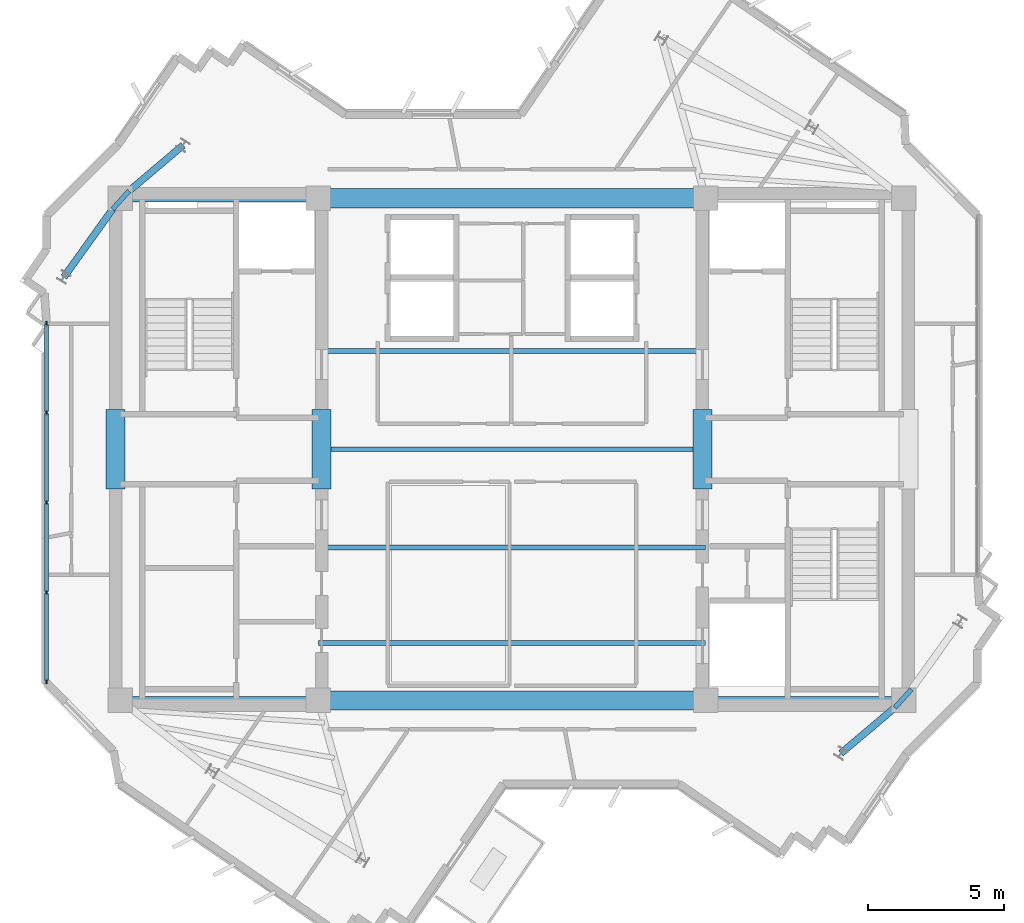
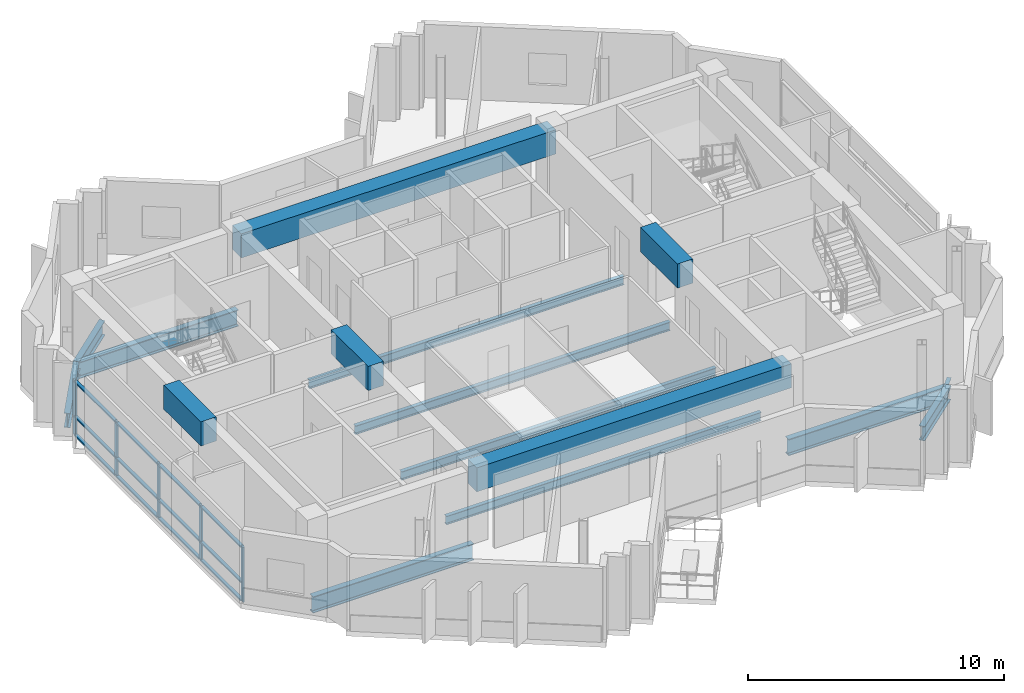
# One storey, part 2 of 11: 17 beams, 17 members, 1 element without a shape of its own.
"""IFC4 building model written with IfcOpenShell, lengths in metres."""

from ifc_helpers import new_model, si_unit, direction, frame, origin, origin_2d, place, context, subcontext, project, spatial, rectangle, i_section, extrude, source, transform, mapped, material, layer, layer_set, material_profile, profile_set, type_object, element, aggregate, save


model = new_model("IFC4")

# Units and contexts
model_context = context("Model", 3, precision=1e-05, world=origin(), true_north=direction((0.0, 1.0)))
body_context = subcontext(model_context, "Body", "Model", "MODEL_VIEW")
ifc_project = project(units=[si_unit("LENGTHUNIT", "METRE"), si_unit("AREAUNIT", "SQUARE_METRE"), si_unit("VOLUMEUNIT", "CUBIC_METRE"), si_unit("PLANEANGLEUNIT", "RADIAN"), si_unit("MASSUNIT", "GRAM", prefix="KILO")], contexts=[model_context])

# Site, building, storey
site_placement = place(None, origin())
site = spatial("IfcSite", under=ifc_project, at=site_placement, CompositionType="ELEMENT")
building_placement = place(site_placement, origin())
building = spatial("IfcBuilding", under=site, at=building_placement, Name="Zahravan Cultural Tower", CompositionType="ELEMENT")
storey_placement = place(building_placement, frame((0.0, 0.0, 338.550048828125)))
storey = spatial("IfcBuildingStorey", under=building, at=storey_placement, Name="L82", CompositionType="ELEMENT", Elevation=338.550048828125)

# Beams
ifc_material_1 = material(Name="Concrete C50/60", Category="concrete")
ifc_material_profile_1 = material_profile(ifc_material_1, rectangle(XDim=0.699951171875, YDim=1.14990234375, at=origin_2d()), Name="RC700X1150")
ifc_profile_set_1 = profile_set([ifc_material_profile_1], Name="Concrete C50/60")
beam_type_1 = type_object("IfcBeamType", Name="BM-LN-RC700X1150", PredefinedType="LINTEL", material=ifc_profile_set_1)
shared_shape_1 = source(origin(), body_context, "Body", "SweptSolid", [
    extrude(rectangle(XDim=0.699951171875, YDim=1.14990234375, at=origin_2d()), origin(), (0.0, 0.0, 1.0), 14.2001953125),
])
for number, where, z_axis, x_axis, name in (
    (1, (28.89990234375, 17.800048828125, 2.925048828125), (1.0, 0.0, 0.0), (0.0, 1.0, 0.0), "L82 Beam LN-L82-S"),
    (2, (28.89990234375, 36.199951171875, 2.925048828125), (1.0, 0.0, 0.0), (0.0, 1.0, 0.0), "L82 Beam LN-L82-N"),
):
    element("IfcBeam", number, at=place(storey_placement, frame(where, z_axis=z_axis, x_axis=x_axis)), inside=storey, type_object=beam_type_1, Name=name, PredefinedType="LINTEL", context=body_context, shape_type="MappedRepresentation", body=[
        mapped(shared_shape_1, transform((0.0, 0.0, 0.0), x_axis=(1.0, 0.0, 0.0), y_axis=(0.0, 1.0, 0.0), z_axis=(0.0, 0.0, 1.0), scale=1.0)),
    ])
shared_shape_2 = source(origin(), body_context, "Body", "SweptSolid", [
    extrude(rectangle(XDim=0.699951171875, YDim=1.14990234375, at=origin_2d()), origin(), (0.0, 0.0, 1.0), 2.89990234375),
])
for number, where, z_axis, x_axis, name in (
    (3, (21.47509765625, 25.550048828125, 2.925048828125), (0.0, 1.0, 0.0), (-1.0, 0.0, 0.0), "L82 Beam LN-L82-PWW"),
    (4, (29.02490234375, 25.550048828125, 2.925048828125), (0.0, 1.0, 0.0), (-1.0, 0.0, 0.0), "L82 Beam LN-L82-PWE"),
    (5, (42.97509765625, 25.550048828125, 2.925048828125), (0.0, 1.0, 0.0), (-1.0, 0.0, 0.0), "L82 Beam LN-L82-PEW"),
):
    element("IfcBeam", number, at=place(storey_placement, frame(where, z_axis=z_axis, x_axis=x_axis)), inside=storey, type_object=beam_type_1, Name=name, PredefinedType="LINTEL", context=body_context, shape_type="MappedRepresentation", body=[
        mapped(shared_shape_2, transform((0.0, 0.0, 0.0), x_axis=(1.0, 0.0, 0.0), y_axis=(0.0, 1.0, 0.0), z_axis=(0.0, 0.0, 1.0), scale=1.0)),
    ])
ifc_material_2 = material(Name="Steel ASTM A992 Grade 50", Category="steel")
ifc_material_profile_2 = material_profile(ifc_material_2, i_section(OverallWidth=0.26611328125, OverallDepth=0.780029296875, WebThickness=0.0166015625, FlangeThickness=0.030029296875, FilletRadius=0.01904296875, at=origin_2d()), Name="W30X148")
ifc_profile_set_2 = profile_set([ifc_material_profile_2], Name="Steel ASTM A992 Grade 50")
beam_type_2 = type_object("IfcBeamType", Name="BM-G-W30X148", PredefinedType="BEAM", material=ifc_profile_set_2)
shared_shape_3 = source(origin(), body_context, "Body", "SweptSolid", [
    extrude(i_section(OverallWidth=0.26611328125, OverallDepth=0.780029296875, WebThickness=0.0166015625, FlangeThickness=0.030029296875, FilletRadius=0.01904296875, at=origin_2d()), origin(), (0.0, 0.0, 1.0), 7.25),
])
for number, where, z_axis, x_axis, name in (
    (6, (21.64990234375, 17.800048828125, -0.64013671875), (1.0, 0.0, 0.0), (0.0, 1.0, 0.0), "L82 Beam BG-L82-01"),
    (7, (21.64990234375, 36.199951171875, -0.64013671875), (1.0, 0.0, 0.0), (0.0, 1.0, 0.0), "L82 Beam BG-L82-02"),
    (8, (43.10009765625, 17.800048828125, -0.64013671875), (1.0, 0.0, 0.0), (0.0, 1.0, 0.0), "L82 Beam BG-L82-04"),
):
    element("IfcBeam", number, at=place(storey_placement, frame(where, z_axis=z_axis, x_axis=x_axis)), inside=storey, type_object=beam_type_2, Name=name, PredefinedType="BEAM", context=body_context, shape_type="MappedRepresentation", body=[
        mapped(shared_shape_3, transform((0.0, 0.0, 0.0), x_axis=(1.0, 0.0, 0.0), y_axis=(0.0, 1.0, 0.0), z_axis=(0.0, 0.0, 1.0), scale=1.0)),
    ])
ifc_material_profile_3 = material_profile(ifc_material_2, i_section(OverallWidth=0.177978515625, OverallDepth=0.406005859375, WebThickness=0.0078125, FlangeThickness=0.0126953125, FilletRadius=0.011962890625, at=origin_2d()), Name="W16X40")
ifc_profile_set_3 = profile_set([ifc_material_profile_3], Name="Steel ASTM A992 Grade 50")
beam_type_3 = type_object("IfcBeamType", Name="BM-J-W16X40", PredefinedType="JOIST", material=ifc_profile_set_3)
shared_shape_4 = source(origin(), body_context, "Body", "SweptSolid", [
    extrude(i_section(OverallWidth=0.177978515625, OverallDepth=0.406005859375, WebThickness=0.0078125, FlangeThickness=0.0126953125, FilletRadius=0.011962890625, at=origin_2d()), origin(), (0.0, 0.0, 1.0), 14.2001953125),
])
for number, where, z_axis, x_axis, name in (
    (9, (28.89990234375, 19.89990234375, -0.453125), (1.0, 0.0, 0.0), (0.0, 1.0, 0.0), "L82 Beam BJ-L82-20"),
    (10, (28.89990234375, 23.39990234375, -0.453125), (1.0, 0.0, 0.0), (0.0, 1.0, 0.0), "L82 Beam BJ-L82-21"),
    (11, (28.89990234375, 27.0, -0.453125), (1.0, 0.0, 0.0), (0.0, 1.0, 0.0), "L82 Beam BJ-L82-22"),
    (12, (28.89990234375, 30.60009765625, -0.453125), (1.0, 0.0, 0.0), (0.0, 1.0, 0.0), "L82 Beam BJ-L82-23"),
):
    element("IfcBeam", number, at=place(storey_placement, frame(where, z_axis=z_axis, x_axis=x_axis)), inside=storey, type_object=beam_type_3, Name=name, PredefinedType="JOIST", context=body_context, shape_type="MappedRepresentation", body=[
        mapped(shared_shape_4, transform((0.0, 0.0, 0.0), x_axis=(1.0, 0.0, 0.0), y_axis=(0.0, 1.0, 0.0), z_axis=(0.0, 0.0, 1.0), scale=1.0)),
    ])
shared_shape_5 = source(origin(), body_context, "Body", "SweptSolid", [
    extrude(i_section(OverallWidth=0.177978515625, OverallDepth=0.406005859375, WebThickness=0.0078125, FlangeThickness=0.0126953125, FilletRadius=0.011962890625, at=origin_2d()), origin(), (0.0, 0.0, 1.0), 0.91162109375),
])
for number, where, z_axis, x_axis, name in (
    (13, (50.02880859375, 17.5283203125, -0.453125), (0.670590689022, 0.741827559341, 0.0), (-0.741827559341, 0.670590689022, 0.0), "L82 Beam BJ-L82-32"),
    (14, (21.97119140625, 36.4716796875, -0.453125), (-0.670590689022, -0.741827559341, 0.0), (0.741827559341, -0.670590689022, 0.0), "L82 Beam BJ-L82-48"),
):
    element("IfcBeam", number, at=place(storey_placement, frame(where, z_axis=z_axis, x_axis=x_axis)), inside=storey, type_object=beam_type_3, Name=name, PredefinedType="JOIST", context=body_context, shape_type="MappedRepresentation", body=[
        mapped(shared_shape_5, transform((0.0, 0.0, 0.0), x_axis=(1.0, 0.0, 0.0), y_axis=(0.0, 1.0, 0.0), z_axis=(0.0, 0.0, 1.0), scale=1.0)),
    ])
ifc_material_profile_4 = material_profile(ifc_material_2, i_section(OverallWidth=0.25390625, OverallDepth=0.68798828125, WebThickness=0.01318359375, FlangeThickness=0.02099609375, FilletRadius=0.01806640625, at=origin_2d()), Name="W27X102")
ifc_profile_set_4 = profile_set([ifc_material_profile_4], Name="Steel ASTM A992 Grade 50")
beam_type_4 = type_object("IfcBeamType", Name="BM-G-W27X102", PredefinedType="BEAM", material=ifc_profile_set_4)
shared_shape_6 = source(origin(), body_context, "Body", "SweptSolid", [
    extrude(i_section(OverallWidth=0.25390625, OverallDepth=0.68798828125, WebThickness=0.01318359375, FlangeThickness=0.02099609375, FilletRadius=0.01806640625, at=origin_2d()), origin(), (0.0, 0.0, 1.0), 3.00537109375),
])
for number, where, z_axis, x_axis, name in (
    (15, (50.35009765625, 17.800048828125, -0.593994140625), (-0.763546494847, -0.645752855361, 0.0), (0.645752855361, -0.763546494847, 0.0), "L82 Beam BG-L82-09"),
    (16, (21.64990234375, 36.199951171875, -0.593994140625), (0.763546494847, 0.645752855361, 0.0), (-0.645752855361, 0.763546494847, 0.0), "L82 Beam BG-L82-13"),
):
    element("IfcBeam", number, at=place(storey_placement, frame(where, z_axis=z_axis, x_axis=x_axis)), inside=storey, type_object=beam_type_4, Name=name, PredefinedType="BEAM", context=body_context, shape_type="MappedRepresentation", body=[
        mapped(shared_shape_6, transform((0.0, 0.0, 0.0), x_axis=(1.0, 0.0, 0.0), y_axis=(0.0, 1.0, 0.0), z_axis=(0.0, 0.0, 1.0), scale=1.0)),
    ])
shared_shape_7 = source(origin(), body_context, "Body", "SweptSolid", [
    extrude(i_section(OverallWidth=0.25390625, OverallDepth=0.68798828125, WebThickness=0.01318359375, FlangeThickness=0.02099609375, FilletRadius=0.01806640625, at=origin_2d()), origin(), (0.0, 0.0, 1.0), 3.5556640625),
])
beam_placement = place(storey_placement, frame((21.64990234375, 36.199951171875, -0.593994140625), z_axis=(-0.58288028137, -0.812558045674, 0.0), x_axis=(0.812558045674, -0.58288028137, 0.0)))
element("IfcBeam", 17, at=beam_placement, inside=storey, type_object=beam_type_4, Name="L82 Beam BG-L82-14", PredefinedType="BEAM", context=body_context, shape_type="MappedRepresentation", body=[
    mapped(shared_shape_7, transform((0.0, 0.0, 0.0), x_axis=(1.0, 0.0, 0.0), y_axis=(0.0, 1.0, 0.0), z_axis=(0.0, 0.0, 1.0), scale=1.0)),
])

# Curtain wall, members
ifc_material_3 = material(Name="Anodised bronze-aluminium mullion", Category="aluminium")
ifc_layer = layer(ifc_material_3, 0.179931640625)
ifc_layer_set = layer_set([ifc_layer], Name="Anodised bronze-aluminium mullion")
curtain_wall_type = type_object("IfcCurtainWallType", Name="CW-SYS-3", PredefinedType="USERDEFINED", material=ifc_layer_set)
curtain_wall_placement = place(storey_placement, origin())
curtain_wall = element("IfcCurtainWall", 18, at=curtain_wall_placement, inside=storey, type_object=curtain_wall_type, Name="L82 Recessed Curtain Wall CW-3.1", ObjectType="RECESSED GLAZING", PredefinedType="USERDEFINED")
ifc_material_profile_5 = material_profile(ifc_material_3, rectangle(XDim=0.070068359375, YDim=0.179931640625, at=origin_2d()), Name="AL-M70X180")
ifc_profile_set_5 = profile_set([ifc_material_profile_5], Name="Anodised bronze-aluminium mullion")
member_type_1 = type_object("IfcMemberType", Name="CWM-CW-3", PredefinedType="MULLION", material=ifc_profile_set_5)
shared_shape_8 = source(origin(), body_context, "Body", "SweptSolid", [
    extrude(rectangle(XDim=0.070068359375, YDim=0.179931640625, at=origin_2d()), origin(), (0.0, 0.0, 1.0), 2.619873046875),
])
member_1_placement = place(storey_placement, frame((18.93994140625, 18.492919921875, 0.0), z_axis=(0.0, 0.0, 1.0), x_axis=(-1.0, 0.0, 0.0)))
member_1 = element("IfcMember", 19, at=member_1_placement, type_object=member_type_1, Name="CW-3 mullion 1", PredefinedType="MULLION", context=body_context, shape_type="MappedRepresentation", body=[
    mapped(shared_shape_8, transform((0.0, 0.0, 0.0), x_axis=(1.0, 0.0, 0.0), y_axis=(0.0, 1.0, 0.0), z_axis=(0.0, 0.0, 1.0), scale=1.0)),
])
member_2_placement = place(storey_placement, frame((18.93994140625, 21.75341796875, 0.0), z_axis=(0.0, 0.0, 1.0), x_axis=(-1.0, 0.0, 0.0)))
member_2 = element("IfcMember", 20, at=member_2_placement, type_object=member_type_1, Name="CW-3 mullion 2", PredefinedType="MULLION", context=body_context, shape_type="MappedRepresentation", body=[
    mapped(shared_shape_8, transform((0.0, 0.0, 0.0), x_axis=(1.0, 0.0, 0.0), y_axis=(0.0, 1.0, 0.0), z_axis=(0.0, 0.0, 1.0), scale=1.0)),
])
member_3_placement = place(storey_placement, frame((18.93994140625, 25.048828125, 0.0), z_axis=(0.0, 0.0, 1.0), x_axis=(-1.0, 0.0, 0.0)))
member_3 = element("IfcMember", 21, at=member_3_placement, type_object=member_type_1, Name="CW-3 mullion 3", PredefinedType="MULLION", context=body_context, shape_type="MappedRepresentation", body=[
    mapped(shared_shape_8, transform((0.0, 0.0, 0.0), x_axis=(1.0, 0.0, 0.0), y_axis=(0.0, 1.0, 0.0), z_axis=(0.0, 0.0, 1.0), scale=1.0)),
])
member_4_placement = place(storey_placement, frame((18.93994140625, 28.34423828125, 0.0), z_axis=(0.0, 0.0, 1.0), x_axis=(-1.0, 0.0, 0.0)))
member_4 = element("IfcMember", 22, at=member_4_placement, type_object=member_type_1, Name="CW-3 mullion 4", PredefinedType="MULLION", context=body_context, shape_type="MappedRepresentation", body=[
    mapped(shared_shape_8, transform((0.0, 0.0, 0.0), x_axis=(1.0, 0.0, 0.0), y_axis=(0.0, 1.0, 0.0), z_axis=(0.0, 0.0, 1.0), scale=1.0)),
])
member_5_placement = place(storey_placement, frame((18.93994140625, 31.604736328125, 0.0), z_axis=(0.0, 0.0, 1.0), x_axis=(-1.0, 0.0, 0.0)))
member_5 = element("IfcMember", 23, at=member_5_placement, type_object=member_type_1, Name="CW-3 mullion 5", PredefinedType="MULLION", context=body_context, shape_type="MappedRepresentation", body=[
    mapped(shared_shape_8, transform((0.0, 0.0, 0.0), x_axis=(1.0, 0.0, 0.0), y_axis=(0.0, 1.0, 0.0), z_axis=(0.0, 0.0, 1.0), scale=1.0)),
])
ifc_material_profile_6 = material_profile(ifc_material_3, rectangle(XDim=0.139892578125, YDim=0.070068359375, at=origin_2d()), Name="AL-T70X140")
ifc_profile_set_6 = profile_set([ifc_material_profile_6], Name="Anodised bronze-aluminium mullion")
member_type_2 = type_object("IfcMemberType", Name="CWT-CW-3", PredefinedType="USERDEFINED", material=ifc_profile_set_6)
shared_shape_9 = source(origin(), body_context, "Body", "SweptSolid", [
    extrude(rectangle(XDim=0.139892578125, YDim=0.070068359375, at=origin_2d()), origin(), (0.0, 0.0, 1.0), 3.1904296875),
])
member_6_placement = place(storey_placement, frame((18.93994140625, 18.528076171875, 0.034912109375), z_axis=(0.0, 1.0, 0.0), x_axis=(-1.0, 0.0, 0.0)))
member_6 = element("IfcMember", 24, at=member_6_placement, type_object=member_type_2, Name="CW-3 transom 1.1", ObjectType="TRANSOM", PredefinedType="USERDEFINED", context=body_context, shape_type="MappedRepresentation", body=[
    mapped(shared_shape_9, transform((0.0, 0.0, 0.0), x_axis=(1.0, 0.0, 0.0), y_axis=(0.0, 1.0, 0.0), z_axis=(0.0, 0.0, 1.0), scale=1.0)),
])
member_7_placement = place(storey_placement, frame((18.93994140625, 18.528076171875, 0.89990234375), z_axis=(0.0, 1.0, 0.0), x_axis=(-1.0, 0.0, 0.0)))
member_7 = element("IfcMember", 25, at=member_7_placement, type_object=member_type_2, Name="CW-3 transom 1.2", ObjectType="TRANSOM", PredefinedType="USERDEFINED", context=body_context, shape_type="MappedRepresentation", body=[
    mapped(shared_shape_9, transform((0.0, 0.0, 0.0), x_axis=(1.0, 0.0, 0.0), y_axis=(0.0, 1.0, 0.0), z_axis=(0.0, 0.0, 1.0), scale=1.0)),
])
member_8_placement = place(storey_placement, frame((18.93994140625, 18.528076171875, 2.5849609375), z_axis=(0.0, 1.0, 0.0), x_axis=(-1.0, 0.0, 0.0)))
member_8 = element("IfcMember", 26, at=member_8_placement, type_object=member_type_2, Name="CW-3 transom 1.3", ObjectType="TRANSOM", PredefinedType="USERDEFINED", context=body_context, shape_type="MappedRepresentation", body=[
    mapped(shared_shape_9, transform((0.0, 0.0, 0.0), x_axis=(1.0, 0.0, 0.0), y_axis=(0.0, 1.0, 0.0), z_axis=(0.0, 0.0, 1.0), scale=1.0)),
])
member_9_placement = place(storey_placement, frame((18.93994140625, 28.37939453125, 0.034912109375), z_axis=(0.0, 1.0, 0.0), x_axis=(-1.0, 0.0, 0.0)))
member_9 = element("IfcMember", 27, at=member_9_placement, type_object=member_type_2, Name="CW-3 transom 4.1", ObjectType="TRANSOM", PredefinedType="USERDEFINED", context=body_context, shape_type="MappedRepresentation", body=[
    mapped(shared_shape_9, transform((0.0, 0.0, 0.0), x_axis=(1.0, 0.0, 0.0), y_axis=(0.0, 1.0, 0.0), z_axis=(0.0, 0.0, 1.0), scale=1.0)),
])
member_10_placement = place(storey_placement, frame((18.93994140625, 28.37939453125, 0.89990234375), z_axis=(0.0, 1.0, 0.0), x_axis=(-1.0, 0.0, 0.0)))
member_10 = element("IfcMember", 28, at=member_10_placement, type_object=member_type_2, Name="CW-3 transom 4.2", ObjectType="TRANSOM", PredefinedType="USERDEFINED", context=body_context, shape_type="MappedRepresentation", body=[
    mapped(shared_shape_9, transform((0.0, 0.0, 0.0), x_axis=(1.0, 0.0, 0.0), y_axis=(0.0, 1.0, 0.0), z_axis=(0.0, 0.0, 1.0), scale=1.0)),
])
member_11_placement = place(storey_placement, frame((18.93994140625, 28.37939453125, 2.5849609375), z_axis=(0.0, 1.0, 0.0), x_axis=(-1.0, 0.0, 0.0)))
member_11 = element("IfcMember", 29, at=member_11_placement, type_object=member_type_2, Name="CW-3 transom 4.3", ObjectType="TRANSOM", PredefinedType="USERDEFINED", context=body_context, shape_type="MappedRepresentation", body=[
    mapped(shared_shape_9, transform((0.0, 0.0, 0.0), x_axis=(1.0, 0.0, 0.0), y_axis=(0.0, 1.0, 0.0), z_axis=(0.0, 0.0, 1.0), scale=1.0)),
])
shared_shape_10 = source(origin(), body_context, "Body", "SweptSolid", [
    extrude(rectangle(XDim=0.139892578125, YDim=0.070068359375, at=origin_2d()), origin(), (0.0, 0.0, 1.0), 3.2255859375),
])
member_12_placement = place(storey_placement, frame((18.93994140625, 21.788330078125, 0.034912109375), z_axis=(0.0, 1.0, 0.0), x_axis=(-1.0, 0.0, 0.0)))
member_12 = element("IfcMember", 30, at=member_12_placement, type_object=member_type_2, Name="CW-3 transom 2.1", ObjectType="TRANSOM", PredefinedType="USERDEFINED", context=body_context, shape_type="MappedRepresentation", body=[
    mapped(shared_shape_10, transform((0.0, 0.0, 0.0), x_axis=(1.0, 0.0, 0.0), y_axis=(0.0, 1.0, 0.0), z_axis=(0.0, 0.0, 1.0), scale=1.0)),
])
member_13_placement = place(storey_placement, frame((18.93994140625, 21.788330078125, 0.89990234375), z_axis=(0.0, 1.0, 0.0), x_axis=(-1.0, 0.0, 0.0)))
member_13 = element("IfcMember", 31, at=member_13_placement, type_object=member_type_2, Name="CW-3 transom 2.2", ObjectType="TRANSOM", PredefinedType="USERDEFINED", context=body_context, shape_type="MappedRepresentation", body=[
    mapped(shared_shape_10, transform((0.0, 0.0, 0.0), x_axis=(1.0, 0.0, 0.0), y_axis=(0.0, 1.0, 0.0), z_axis=(0.0, 0.0, 1.0), scale=1.0)),
])
member_14_placement = place(storey_placement, frame((18.93994140625, 21.788330078125, 2.5849609375), z_axis=(0.0, 1.0, 0.0), x_axis=(-1.0, 0.0, 0.0)))
member_14 = element("IfcMember", 32, at=member_14_placement, type_object=member_type_2, Name="CW-3 transom 2.3", ObjectType="TRANSOM", PredefinedType="USERDEFINED", context=body_context, shape_type="MappedRepresentation", body=[
    mapped(shared_shape_10, transform((0.0, 0.0, 0.0), x_axis=(1.0, 0.0, 0.0), y_axis=(0.0, 1.0, 0.0), z_axis=(0.0, 0.0, 1.0), scale=1.0)),
])
shared_shape_11 = source(origin(), body_context, "Body", "SweptSolid", [
    extrude(rectangle(XDim=0.139892578125, YDim=0.070068359375, at=origin_2d()), origin(), (0.0, 0.0, 1.0), 3.225341796875),
])
member_15_placement = place(storey_placement, frame((18.93994140625, 25.083984375, 0.034912109375), z_axis=(0.0, 1.0, 0.0), x_axis=(-1.0, 0.0, 0.0)))
member_15 = element("IfcMember", 33, at=member_15_placement, type_object=member_type_2, Name="CW-3 transom 3.1", ObjectType="TRANSOM", PredefinedType="USERDEFINED", context=body_context, shape_type="MappedRepresentation", body=[
    mapped(shared_shape_11, transform((0.0, 0.0, 0.0), x_axis=(1.0, 0.0, 0.0), y_axis=(0.0, 1.0, 0.0), z_axis=(0.0, 0.0, 1.0), scale=1.0)),
])
member_16_placement = place(storey_placement, frame((18.93994140625, 25.083984375, 0.89990234375), z_axis=(0.0, 1.0, 0.0), x_axis=(-1.0, 0.0, 0.0)))
member_16 = element("IfcMember", 34, at=member_16_placement, type_object=member_type_2, Name="CW-3 transom 3.2", ObjectType="TRANSOM", PredefinedType="USERDEFINED", context=body_context, shape_type="MappedRepresentation", body=[
    mapped(shared_shape_11, transform((0.0, 0.0, 0.0), x_axis=(1.0, 0.0, 0.0), y_axis=(0.0, 1.0, 0.0), z_axis=(0.0, 0.0, 1.0), scale=1.0)),
])
member_17_placement = place(storey_placement, frame((18.93994140625, 25.083984375, 2.5849609375), z_axis=(0.0, 1.0, 0.0), x_axis=(-1.0, 0.0, 0.0)))
member_17 = element("IfcMember", 35, at=member_17_placement, type_object=member_type_2, Name="CW-3 transom 3.3", ObjectType="TRANSOM", PredefinedType="USERDEFINED", context=body_context, shape_type="MappedRepresentation", body=[
    mapped(shared_shape_11, transform((0.0, 0.0, 0.0), x_axis=(1.0, 0.0, 0.0), y_axis=(0.0, 1.0, 0.0), z_axis=(0.0, 0.0, 1.0), scale=1.0)),
])
aggregate(curtain_wall, [member_1, member_2, member_3, member_4, member_5, member_6, member_7, member_8, member_12, member_13, member_14, member_15, member_16, member_17, member_9, member_10, member_11])

save(model, "model.ifc")
